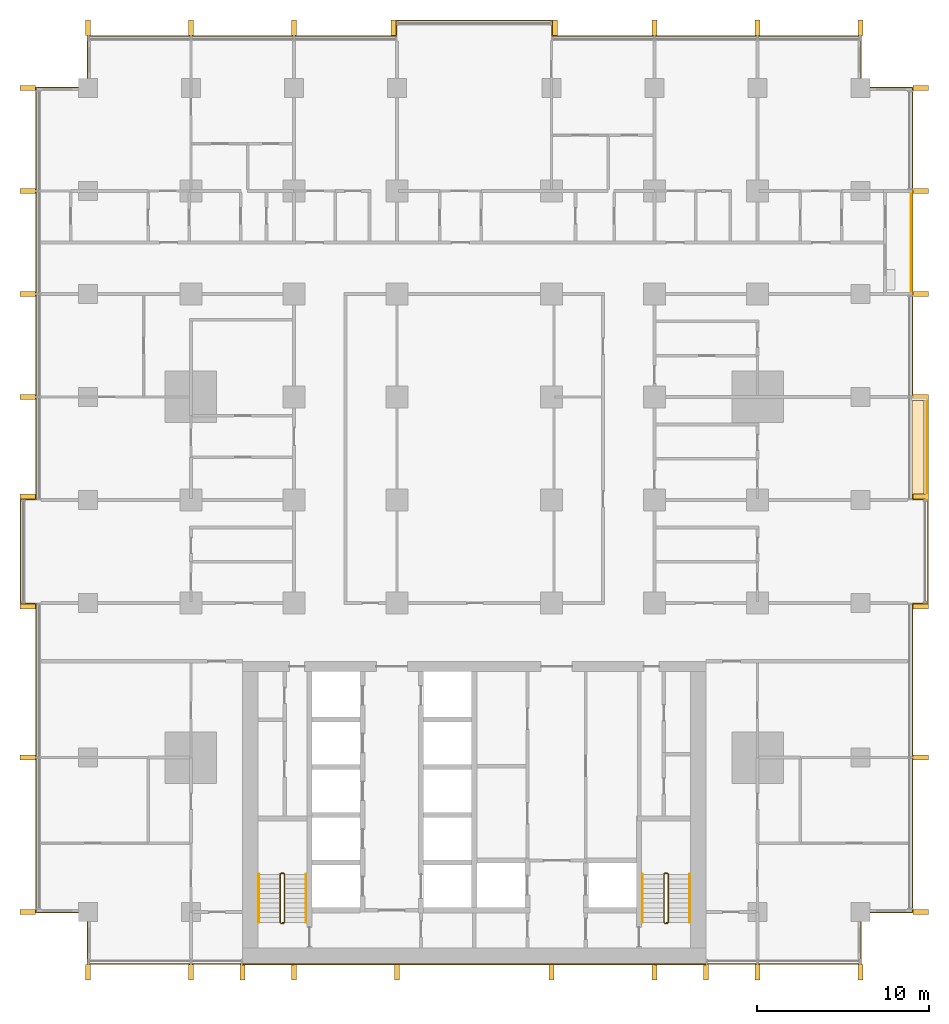
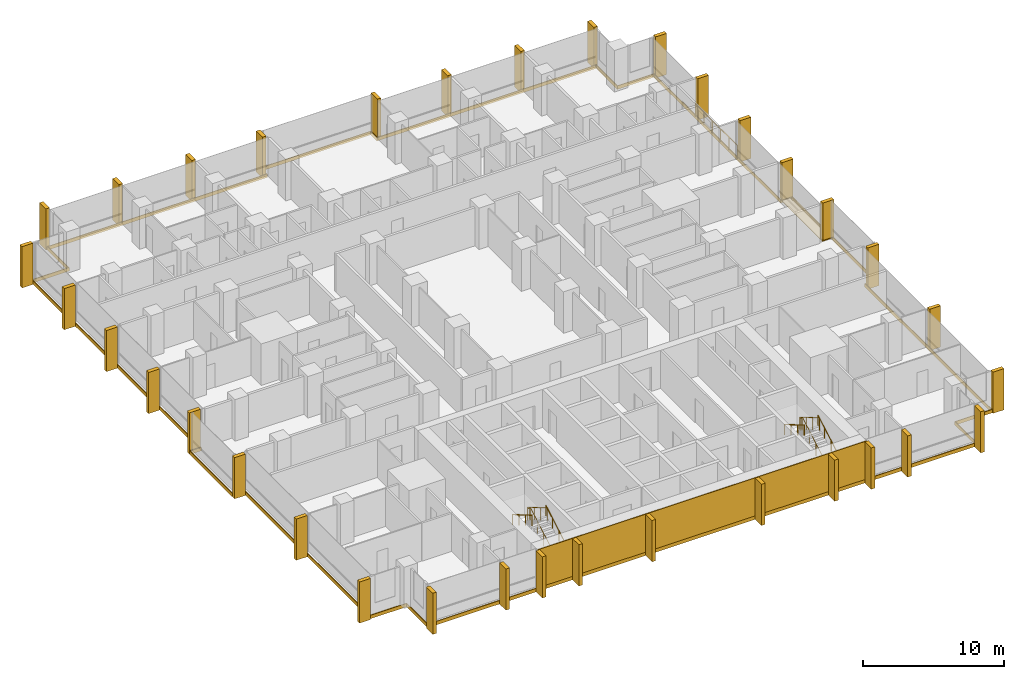
# One storey, part 18 of 18: 34 shading devices, 8 coverings, 7 railings.
"""IFC4 building model written with IfcOpenShell, lengths in metres."""

from ifc_helpers import new_model, si_unit, direction, frame, origin, origin_2d, place, context, subcontext, project, spatial, polyline, rectangle, circle, outline, extrude, material, layer, layer_set, type_object, element, save


model = new_model("IFC4")

# Units and contexts
model_context = context("Model", 3, precision=1e-05, world=origin(), true_north=direction((0.0, 1.0)))
body_context = subcontext(model_context, "Body", "Model", "MODEL_VIEW")
ifc_project = project(units=[si_unit("LENGTHUNIT", "METRE"), si_unit("AREAUNIT", "SQUARE_METRE"), si_unit("VOLUMEUNIT", "CUBIC_METRE"), si_unit("PLANEANGLEUNIT", "RADIAN"), si_unit("MASSUNIT", "GRAM", prefix="KILO")], contexts=[model_context])

# Site, building, storey
site_placement = place(None, origin())
site = spatial("IfcSite", under=ifc_project, at=site_placement, CompositionType="ELEMENT")
building_placement = place(site_placement, origin())
building = spatial("IfcBuilding", under=site, at=building_placement, Name="Finial Court Residences", CompositionType="ELEMENT")
storey_placement = place(building_placement, frame((0.0, 0.0, 54.10009765625)))
storey = spatial("IfcBuildingStorey", under=building, at=storey_placement, Name="L12", CompositionType="ELEMENT", Elevation=54.10009765625)

# Railing
ifc_material_1 = material(Name="Bronze anodised aluminium", Category="aluminium")
railing_type_1 = type_object("IfcRailingType", Name="Balcony guard 1100", PredefinedType="GUARDRAIL", material=ifc_material_1)
railing_1_placement = place(storey_placement, frame((25.449951171875, 13.5, 0.0)))
element("IfcRailing", 1, at=railing_1_placement, inside=storey, type_object=railing_type_1, Name="E-L12-BALE6-R", PredefinedType="GUARDRAIL", context=body_context, shape_type="SweptSolid", body=[
    extrude(circle(Radius=0.02392578125, at=origin_2d()), frame((0.0, 0.0, 1.076171875), z_axis=(0.0, 1.0, 0.0), x_axis=(-1.0, 0.0, 0.0)), (0.0, 0.0, 1.0), 6.0),
    extrude(circle(Radius=0.02099609375, at=origin_2d()), origin(), (0.0, 0.0, 1.0), 1.052001953125),
    extrude(circle(Radius=0.02099609375, at=origin_2d()), frame((0.0, 1.199951171875, 0.0)), (0.0, 0.0, 1.0), 1.052001953125),
    extrude(circle(Radius=0.02099609375, at=origin_2d()), frame((0.0, 2.39990234375, 0.0)), (0.0, 0.0, 1.0), 1.052001953125),
    extrude(circle(Radius=0.02099609375, at=origin_2d()), frame((0.0, 3.60009765625, 0.0)), (0.0, 0.0, 1.0), 1.052001953125),
    extrude(circle(Radius=0.02099609375, at=origin_2d()), frame((0.0, 4.800048828125, 0.0)), (0.0, 0.0, 1.0), 1.052001953125),
    extrude(circle(Radius=0.02099609375, at=origin_2d()), frame((0.0, 6.0, 0.0)), (0.0, 0.0, 1.0), 1.052001953125),
])

# Coverings
ifc_material_2 = material(Name="Natural limestone", Category="masonry")
ifc_layer_1 = layer(ifc_material_2, 0.06005859375)
ifc_layer_set_1 = layer_set([ifc_layer_1], Name="Limestone cladding to the blind core face 60")
covering_type_1 = type_object("IfcCoveringType", Name="Limestone cladding to the blind core face 60", PredefinedType="CLADDING", material=ifc_layer_set_1)
covering_1_placement = place(storey_placement, origin())
element("IfcCovering", 2, at=covering_1_placement, inside=storey, type_object=covering_type_1, Name="E-L12-CLAD1", PredefinedType="CLADDING", context=body_context, shape_type="SweptSolid", body=[
    extrude(outline(polyline([(-10.5, -25.56005859375), (-10.5, -25.5), (-13.5, -25.5), (-13.5, -25.56005859375), (-10.5, -25.56005859375)])), origin(), (0.0, 0.0, 1.0), 3.2998046875),
])
covering_2_placement = place(storey_placement, origin())
element("IfcCovering", 3, at=covering_2_placement, inside=storey, type_object=covering_type_1, Name="E-L12-CLAD2", PredefinedType="CLADDING", context=body_context, shape_type="SweptSolid", body=[
    extrude(outline(polyline([(-4.5, -25.56005859375), (-4.5, -25.5), (-10.5, -25.5), (-10.5, -25.56005859375), (-4.5, -25.56005859375)])), origin(), (0.0, 0.0, 1.0), 3.2998046875),
])
covering_3_placement = place(storey_placement, origin())
element("IfcCovering", 4, at=covering_3_placement, inside=storey, type_object=covering_type_1, Name="E-L12-CLAD3", PredefinedType="CLADDING", context=body_context, shape_type="SweptSolid", body=[
    extrude(outline(polyline([(4.5, -25.56005859375), (4.5, -25.5), (-4.5, -25.5), (-4.5, -25.56005859375), (4.5, -25.56005859375)])), origin(), (0.0, 0.0, 1.0), 3.2998046875),
])
covering_4_placement = place(storey_placement, origin())
element("IfcCovering", 5, at=covering_4_placement, inside=storey, type_object=covering_type_1, Name="E-L12-CLAD4", PredefinedType="CLADDING", context=body_context, shape_type="SweptSolid", body=[
    extrude(outline(polyline([(10.5, -25.56005859375), (10.5, -25.5), (4.5, -25.5), (4.5, -25.56005859375), (10.5, -25.56005859375)])), origin(), (0.0, 0.0, 1.0), 3.2998046875),
])
covering_5_placement = place(storey_placement, origin())
element("IfcCovering", 6, at=covering_5_placement, inside=storey, type_object=covering_type_1, Name="E-L12-CLAD5", PredefinedType="CLADDING", context=body_context, shape_type="SweptSolid", body=[
    extrude(outline(polyline([(13.5, -25.56005859375), (13.5, -25.5), (10.5, -25.5), (10.5, -25.56005859375), (13.5, -25.56005859375)])), origin(), (0.0, 0.0, 1.0), 3.2998046875),
])

# Shading devices
shading_device_type = type_object("IfcShadingDeviceType", Name="Limestone fin 300 x 900", PredefinedType="USERDEFINED", material=ifc_material_2)
for number, where, z_axis, x_axis, name in (
    (7, (-22.5, 29.010009765625, -0.300048828125), (0.0, 0.0, 1.0), (1.0, 0.0, 0.0), "E-L12-FIN-N1"),
    (8, (-16.5, 29.010009765625, -0.300048828125), (0.0, 0.0, 1.0), (1.0, 0.0, 0.0), "E-L12-FIN-N2"),
    (9, (-10.5, 29.010009765625, -0.300048828125), (0.0, 0.0, 1.0), (1.0, 0.0, 0.0), "E-L12-FIN-N3"),
    (10, (-4.7099609375, 29.010009765625, -0.300048828125), (0.0, 0.0, 1.0), (1.0, 0.0, 0.0), "E-L12-FIN-N4"),
    (11, (4.7099609375, 29.010009765625, -0.300048828125), (0.0, 0.0, 1.0), (1.0, 0.0, 0.0), "E-L12-FIN-N5"),
    (12, (10.5, 29.010009765625, -0.300048828125), (0.0, 0.0, 1.0), (1.0, 0.0, 0.0), "E-L12-FIN-N6"),
    (13, (16.5, 29.010009765625, -0.300048828125), (0.0, 0.0, 1.0), (1.0, 0.0, 0.0), "E-L12-FIN-N7"),
    (14, (22.5, 29.010009765625, -0.300048828125), (0.0, 0.0, 1.0), (1.0, 0.0, 0.0), "E-L12-FIN-N8"),
):
    element("IfcShadingDevice", number, at=place(storey_placement, frame(where, z_axis=z_axis, x_axis=x_axis)), inside=storey, type_object=shading_device_type, Name=name, ObjectType="FIN", PredefinedType="USERDEFINED", context=body_context, shape_type="SweptSolid", body=[
        extrude(rectangle(XDim=0.300048828125, YDim=0.89990234375, at=origin_2d()), origin(), (0.0, 0.0, 1.0), 3.580078125),
    ])
for number, where, z_axis, x_axis, name in (
    (15, (26.010009765625, -22.5, -0.300048828125), (0.0, 0.0, 1.0), (1.0, 0.0, 0.0), "E-L12-FIN-E9"),
    (16, (26.010009765625, -13.5, -0.300048828125), (0.0, 0.0, 1.0), (1.0, 0.0, 0.0), "E-L12-FIN-E10"),
    (17, (26.010009765625, -4.7099609375, -0.300048828125), (0.0, 0.0, 1.0), (1.0, 0.0, 0.0), "E-L12-FIN-E11"),
):
    element("IfcShadingDevice", number, at=place(storey_placement, frame(where, z_axis=z_axis, x_axis=x_axis)), inside=storey, type_object=shading_device_type, Name=name, ObjectType="FIN", PredefinedType="USERDEFINED", context=body_context, shape_type="SweptSolid", body=[
        extrude(rectangle(XDim=0.89990234375, YDim=0.300048828125, at=origin_2d()), origin(), (0.0, 0.0, 1.0), 3.580078125),
    ])
for number, where, z_axis, x_axis, name in (
    (18, (26.010009765625, 1.7099609375, 0.0400390625), (0.0, 0.0, 1.0), (1.0, 0.0, 0.0), "E-L12-FIN-E12"),
    (19, (26.010009765625, 7.5, 0.0400390625), (0.0, 0.0, 1.0), (1.0, 0.0, 0.0), "E-L12-FIN-E13"),
):
    element("IfcShadingDevice", number, at=place(storey_placement, frame(where, z_axis=z_axis, x_axis=x_axis)), inside=storey, type_object=shading_device_type, Name=name, ObjectType="FIN", PredefinedType="USERDEFINED", context=body_context, shape_type="SweptSolid", body=[
        extrude(rectangle(XDim=0.89990234375, YDim=0.300048828125, at=origin_2d()), origin(), (0.0, 0.0, 1.0), 3.239990234375),
    ])
for number, where, z_axis, x_axis, name in (
    (20, (26.010009765625, 13.5, -0.300048828125), (0.0, 0.0, 1.0), (1.0, 0.0, 0.0), "E-L12-FIN-E14"),
    (21, (26.010009765625, 19.5, -0.300048828125), (0.0, 0.0, 1.0), (1.0, 0.0, 0.0), "E-L12-FIN-E15"),
    (22, (26.010009765625, 25.5, -0.300048828125), (0.0, 0.0, 1.0), (1.0, 0.0, 0.0), "E-L12-FIN-E16"),
):
    element("IfcShadingDevice", number, at=place(storey_placement, frame(where, z_axis=z_axis, x_axis=x_axis)), inside=storey, type_object=shading_device_type, Name=name, ObjectType="FIN", PredefinedType="USERDEFINED", context=body_context, shape_type="SweptSolid", body=[
        extrude(rectangle(XDim=0.89990234375, YDim=0.300048828125, at=origin_2d()), origin(), (0.0, 0.0, 1.0), 3.580078125),
    ])
for number, where, z_axis, x_axis, name in (
    (23, (-22.5, -26.010009765625, -0.300048828125), (0.0, 0.0, 1.0), (1.0, 0.0, 0.0), "E-L12-FIN-S17"),
    (24, (-16.5, -26.010009765625, -0.300048828125), (0.0, 0.0, 1.0), (1.0, 0.0, 0.0), "E-L12-FIN-S18"),
    (25, (-13.5, -26.010009765625, -0.300048828125), (0.0, 0.0, 1.0), (1.0, 0.0, 0.0), "E-L12-FIN-S19"),
    (26, (-10.5, -26.010009765625, -0.300048828125), (0.0, 0.0, 1.0), (1.0, 0.0, 0.0), "E-L12-FIN-S20"),
    (27, (-4.5, -26.010009765625, -0.300048828125), (0.0, 0.0, 1.0), (1.0, 0.0, 0.0), "E-L12-FIN-S21"),
    (28, (4.5, -26.010009765625, -0.300048828125), (0.0, 0.0, 1.0), (1.0, 0.0, 0.0), "E-L12-FIN-S22"),
    (29, (10.5, -26.010009765625, -0.300048828125), (0.0, 0.0, 1.0), (1.0, 0.0, 0.0), "E-L12-FIN-S23"),
    (30, (13.5, -26.010009765625, -0.300048828125), (0.0, 0.0, 1.0), (1.0, 0.0, 0.0), "E-L12-FIN-S24"),
    (31, (16.5, -26.010009765625, -0.300048828125), (0.0, 0.0, 1.0), (1.0, 0.0, 0.0), "E-L12-FIN-S25"),
    (32, (22.5, -26.010009765625, -0.300048828125), (0.0, 0.0, 1.0), (1.0, 0.0, 0.0), "E-L12-FIN-S26"),
):
    element("IfcShadingDevice", number, at=place(storey_placement, frame(where, z_axis=z_axis, x_axis=x_axis)), inside=storey, type_object=shading_device_type, Name=name, ObjectType="FIN", PredefinedType="USERDEFINED", context=body_context, shape_type="SweptSolid", body=[
        extrude(rectangle(XDim=0.300048828125, YDim=0.89990234375, at=origin_2d()), origin(), (0.0, 0.0, 1.0), 3.580078125),
    ])
for number, where, z_axis, x_axis, name in (
    (33, (-26.010009765625, -22.5, -0.300048828125), (0.0, 0.0, 1.0), (1.0, 0.0, 0.0), "E-L12-FIN-W27"),
    (34, (-26.010009765625, -13.5, -0.300048828125), (0.0, 0.0, 1.0), (1.0, 0.0, 0.0), "E-L12-FIN-W28"),
    (35, (-26.010009765625, -4.7099609375, -0.300048828125), (0.0, 0.0, 1.0), (1.0, 0.0, 0.0), "E-L12-FIN-W29"),
    (36, (-26.010009765625, 1.7099609375, -0.300048828125), (0.0, 0.0, 1.0), (1.0, 0.0, 0.0), "E-L12-FIN-W30"),
    (37, (-26.010009765625, 7.5, -0.300048828125), (0.0, 0.0, 1.0), (1.0, 0.0, 0.0), "E-L12-FIN-W31"),
    (38, (-26.010009765625, 13.5, -0.300048828125), (0.0, 0.0, 1.0), (1.0, 0.0, 0.0), "E-L12-FIN-W32"),
    (39, (-26.010009765625, 19.5, -0.300048828125), (0.0, 0.0, 1.0), (1.0, 0.0, 0.0), "E-L12-FIN-W33"),
    (40, (-26.010009765625, 25.5, -0.300048828125), (0.0, 0.0, 1.0), (1.0, 0.0, 0.0), "E-L12-FIN-W34"),
):
    element("IfcShadingDevice", number, at=place(storey_placement, frame(where, z_axis=z_axis, x_axis=x_axis)), inside=storey, type_object=shading_device_type, Name=name, ObjectType="FIN", PredefinedType="USERDEFINED", context=body_context, shape_type="SweptSolid", body=[
        extrude(rectangle(XDim=0.89990234375, YDim=0.300048828125, at=origin_2d()), origin(), (0.0, 0.0, 1.0), 3.580078125),
    ])

# Coverings
ifc_material_3 = material(Name="Pale limestone", Category="masonry")
ifc_layer_2 = layer(ifc_material_3, 0.06005859375)
ifc_layer_set_2 = layer_set([ifc_layer_2], Name="Pale limestone slab-edge band 60")
covering_type_2 = type_object("IfcCoveringType", Name="Pale limestone slab-edge band 60", PredefinedType="CLADDING", material=ifc_layer_set_2)
covering_6_placement = place(storey_placement, frame((0.0, 0.0, -0.300048828125)))
element("IfcCovering", 41, at=covering_6_placement, inside=storey, type_object=covering_type_2, Name="E-L12-BAND1", PredefinedType="CLADDING", context=body_context, shape_type="SweptSolid", body=[
    extrude(outline(polyline([(-22.56005859375, 25.56005859375), (-22.56005859375, 28.56005859375), (-4.56005859375, 28.56005859375), (-4.56005859375, 29.4599609375), (4.56005859375, 29.4599609375), (4.56005859375, 28.56005859375), (22.56005859375, 28.56005859375), (22.56005859375, 25.56005859375), (25.56005859375, 25.56005859375), (25.56005859375, 7.56005859375), (26.4599609375, 7.56005859375), (26.4599609375, -4.56005859375), (25.56005859375, -4.56005859375), (25.56005859375, -22.56005859375), (22.56005859375, -22.56005859375), (22.56005859375, -25.56005859375), (-22.56005859375, -25.56005859375), (-22.56005859375, -22.56005859375), (-25.56005859375, -22.56005859375), (-25.56005859375, -4.56005859375), (-26.4599609375, -4.56005859375), (-26.4599609375, 1.56005859375), (-25.56005859375, 1.56005859375), (-25.56005859375, 25.56005859375), (-22.56005859375, 25.56005859375)]), holes=[polyline([(-25.5, 1.5), (-26.39990234375, 1.5), (-26.39990234375, -4.5), (-25.5, -4.5), (-25.5, -22.5), (-22.5, -22.5), (-22.5, -25.5), (22.5, -25.5), (22.5, -22.5), (25.5, -22.5), (25.5, -4.5), (26.39990234375, -4.5), (26.39990234375, 1.5), (26.39990234375, 7.5), (25.5, 7.5), (25.5, 13.5), (25.5, 19.5), (25.5, 25.5), (22.5, 25.5), (22.5, 28.5), (4.5, 28.5), (4.5, 29.39990234375), (-4.5, 29.39990234375), (-4.5, 28.5), (-22.5, 28.5), (-22.5, 25.5), (-25.5, 25.5), (-25.5, 1.5)])]), origin(), (0.0, 0.0, 1.0), 0.300048828125),
])
ifc_material_4 = material(Name="Bitumen membrane")
ifc_layer_3 = layer(ifc_material_4, 0.0400390625)
ifc_layer_set_3 = layer_set([ifc_layer_3], Name="Push box roofing, bitumen membrane 40")
covering_type_3 = type_object("IfcCoveringType", Name="Push box roofing, bitumen membrane 40", PredefinedType="ROOFING", material=ifc_layer_set_3)
covering_7_placement = place(storey_placement, origin())
element("IfcCovering", 42, at=covering_7_placement, inside=storey, type_object=covering_type_3, Name="E-L12-LED1", PredefinedType="ROOFING", context=body_context, shape_type="SweptSolid", body=[
    extrude(outline(polyline([(25.5, 7.300048828125), (26.199951171875, 7.300048828125), (26.199951171875, 1.5), (25.5, 1.5), (25.5, 7.300048828125)])), origin(), (0.0, 0.0, 1.0), 0.039794921875),
])
covering_8_placement = place(storey_placement, origin())
element("IfcCovering", 43, at=covering_8_placement, inside=storey, type_object=covering_type_3, Name="E-L12-LED1b", PredefinedType="ROOFING", context=body_context, shape_type="SweptSolid", body=[
    extrude(outline(polyline([(25.5, 7.5), (26.39990234375, 7.5), (26.39990234375, 1.5), (26.35009765625, 1.5), (26.35009765625, 7.300048828125), (26.35009765625, 7.300048828125), (26.35009765625, 7.449951171875), (25.5, 7.449951171875), (25.5, 7.5)])), origin(), (0.0, 0.0, 1.0), 0.039794921875),
])

# Railings
ifc_material_5 = material(Name="Stainless steel railing", Category="steel")
railing_type_2 = type_object("IfcRailingType", Name="Stair guard 1100", PredefinedType="GUARDRAIL", material=ifc_material_5)
railing_2_placement = place(storey_placement, frame((-11.10009765625, -23.14990234375, 0.0)))
element("IfcRailing", 44, at=railing_2_placement, inside=storey, type_object=railing_type_2, Name="L12 ST-1 stair guard 1", PredefinedType="GUARDRAIL", context=body_context, shape_type="SweptSolid", body=[
    extrude(circle(Radius=0.02392578125, at=origin_2d()), frame((0.0, 0.0, 1.076171875), z_axis=(-1.0, 0.0, 0.0), x_axis=(0.0, -1.0, 0.0)), (0.0, 0.0, 1.0), 0.14990234375),
    extrude(circle(Radius=0.02392578125, at=origin_2d()), frame((-0.14990234375, 0.0, 1.076171875), z_axis=(0.760004195007, 0.189305074214, 0.621737253547), x_axis=(-0.241699205484, 0.970351222016, 0.0)), (0.0, 0.0, 1.0), 0.26318359375),
    extrude(circle(Radius=0.02392578125, at=origin_2d()), frame((0.050048828125, 0.0498046875, 1.23974609375), z_axis=(0.0, 0.863393664356, 0.504530851732), x_axis=(-1.0, 0.0, 0.0)), (0.0, 0.0, 1.0), 3.2431640625),
    extrude(circle(Radius=0.02392578125, at=origin_2d()), frame((0.050048828125, 2.849853515625, 2.8759765625), z_axis=(-0.707106781187, 0.707106781187, 0.0), x_axis=(-0.707106781187, -0.707106781187, 0.0)), (0.0, 0.0, 1.0), 0.07080078125),
    extrude(circle(Radius=0.02392578125, at=origin_2d()), frame((0.0, 2.89990234375, 2.8759765625), z_axis=(-1.0, 0.0, 0.0), x_axis=(0.0, -1.0, 0.0)), (0.0, 0.0, 1.0), 0.14990234375),
    extrude(circle(Radius=0.02392578125, at=origin_2d()), frame((-0.14990234375, 2.89990234375, 2.8759765625), z_axis=(-0.280456126637, -0.280456126637, 0.917980785237), x_axis=(0.707106781187, -0.707106781187, 0.0)), (0.0, 0.0, 1.0), 0.178466796875),
    extrude(circle(Radius=0.02392578125, at=origin_2d()), frame((-0.199951171875, 2.849853515625, 3.03955078125), z_axis=(0.0, -0.863393664356, 0.504530851732), x_axis=(1.0, 0.0, 0.0)), (0.0, 0.0, 1.0), 3.2431640625),
    extrude(circle(Radius=0.02099609375, at=origin_2d()), origin(), (0.0, 0.0, 1.0), 1.052001953125),
    extrude(circle(Radius=0.02099609375, at=origin_2d()), frame((-0.14990234375, 0.0, 0.0)), (0.0, 0.0, 1.0), 1.052001953125),
    extrude(circle(Radius=0.02099609375, at=origin_2d()), frame((0.050048828125, 0.0498046875, 0.16357421875)), (0.0, 0.0, 1.0), 1.052001953125),
    extrude(circle(Radius=0.02099609375, at=origin_2d()), frame((0.050048828125, 0.983154296875, 0.708984375)), (0.0, 0.0, 1.0), 1.052001953125),
    extrude(circle(Radius=0.02099609375, at=origin_2d()), frame((0.050048828125, 1.91650390625, 1.25439453125)), (0.0, 0.0, 1.0), 1.052001953125),
    extrude(circle(Radius=0.02099609375, at=origin_2d()), frame((0.050048828125, 2.849853515625, 1.7998046875)), (0.0, 0.0, 1.0), 1.052001953125),
    extrude(circle(Radius=0.02099609375, at=origin_2d()), frame((0.0, 2.89990234375, 1.7998046875)), (0.0, 0.0, 1.0), 1.052001953125),
    extrude(circle(Radius=0.02099609375, at=origin_2d()), frame((-0.14990234375, 2.89990234375, 1.7998046875)), (0.0, 0.0, 1.0), 1.052001953125),
    extrude(circle(Radius=0.02099609375, at=origin_2d()), frame((-0.199951171875, 2.849853515625, 1.963623046875)), (0.0, 0.0, 1.0), 1.052001953125),
    extrude(circle(Radius=0.02099609375, at=origin_2d()), frame((-0.199951171875, 1.91650390625, 2.509033203125)), (0.0, 0.0, 1.0), 1.052001953125),
    extrude(circle(Radius=0.02099609375, at=origin_2d()), frame((-0.199951171875, 0.983154296875, 3.054443359375)), (0.0, 0.0, 1.0), 1.052001953125),
    extrude(circle(Radius=0.02099609375, at=origin_2d()), frame((-0.199951171875, 0.0498046875, 3.599853515625)), (0.0, 0.0, 1.0), 1.052001953125),
])
railing_3_placement = place(storey_placement, frame((11.25, -23.14990234375, 0.0)))
element("IfcRailing", 45, at=railing_3_placement, inside=storey, type_object=railing_type_2, Name="L12 ST-2 stair guard 1", PredefinedType="GUARDRAIL", context=body_context, shape_type="SweptSolid", body=[
    extrude(circle(Radius=0.02392578125, at=origin_2d()), frame((0.0, 0.0, 1.076171875), z_axis=(-1.0, 0.0, 0.0), x_axis=(0.0, -1.0, 0.0)), (0.0, 0.0, 1.0), 0.14990234375),
    extrude(circle(Radius=0.02392578125, at=origin_2d()), frame((-0.14990234375, 0.0, 1.076171875), z_axis=(0.760004195007, 0.189305074214, 0.621737253547), x_axis=(-0.241699205484, 0.970351222016, 0.0)), (0.0, 0.0, 1.0), 0.26318359375),
    extrude(circle(Radius=0.02392578125, at=origin_2d()), frame((0.050048828125, 0.0498046875, 1.23974609375), z_axis=(0.0, 0.863393664356, 0.504530851732), x_axis=(-1.0, 0.0, 0.0)), (0.0, 0.0, 1.0), 3.2431640625),
    extrude(circle(Radius=0.02392578125, at=origin_2d()), frame((0.050048828125, 2.849853515625, 2.8759765625), z_axis=(-0.707106781187, 0.707106781187, 0.0), x_axis=(-0.707106781187, -0.707106781187, 0.0)), (0.0, 0.0, 1.0), 0.07080078125),
    extrude(circle(Radius=0.02392578125, at=origin_2d()), frame((0.0, 2.89990234375, 2.8759765625), z_axis=(-1.0, 0.0, 0.0), x_axis=(0.0, -1.0, 0.0)), (0.0, 0.0, 1.0), 0.14990234375),
    extrude(circle(Radius=0.02392578125, at=origin_2d()), frame((-0.14990234375, 2.89990234375, 2.8759765625), z_axis=(-0.280456126637, -0.280456126637, 0.917980785237), x_axis=(0.707106781187, -0.707106781187, 0.0)), (0.0, 0.0, 1.0), 0.178466796875),
    extrude(circle(Radius=0.02392578125, at=origin_2d()), frame((-0.199951171875, 2.849853515625, 3.03955078125), z_axis=(0.0, -0.863393664356, 0.504530851732), x_axis=(1.0, 0.0, 0.0)), (0.0, 0.0, 1.0), 3.2431640625),
    extrude(circle(Radius=0.02099609375, at=origin_2d()), origin(), (0.0, 0.0, 1.0), 1.052001953125),
    extrude(circle(Radius=0.02099609375, at=origin_2d()), frame((-0.14990234375, 0.0, 0.0)), (0.0, 0.0, 1.0), 1.052001953125),
    extrude(circle(Radius=0.02099609375, at=origin_2d()), frame((0.050048828125, 0.0498046875, 0.16357421875)), (0.0, 0.0, 1.0), 1.052001953125),
    extrude(circle(Radius=0.02099609375, at=origin_2d()), frame((0.050048828125, 0.983154296875, 0.708984375)), (0.0, 0.0, 1.0), 1.052001953125),
    extrude(circle(Radius=0.02099609375, at=origin_2d()), frame((0.050048828125, 1.91650390625, 1.25439453125)), (0.0, 0.0, 1.0), 1.052001953125),
    extrude(circle(Radius=0.02099609375, at=origin_2d()), frame((0.050048828125, 2.849853515625, 1.7998046875)), (0.0, 0.0, 1.0), 1.052001953125),
    extrude(circle(Radius=0.02099609375, at=origin_2d()), frame((0.0, 2.89990234375, 1.7998046875)), (0.0, 0.0, 1.0), 1.052001953125),
    extrude(circle(Radius=0.02099609375, at=origin_2d()), frame((-0.14990234375, 2.89990234375, 1.7998046875)), (0.0, 0.0, 1.0), 1.052001953125),
    extrude(circle(Radius=0.02099609375, at=origin_2d()), frame((-0.199951171875, 2.849853515625, 1.963623046875)), (0.0, 0.0, 1.0), 1.052001953125),
    extrude(circle(Radius=0.02099609375, at=origin_2d()), frame((-0.199951171875, 1.91650390625, 2.509033203125)), (0.0, 0.0, 1.0), 1.052001953125),
    extrude(circle(Radius=0.02099609375, at=origin_2d()), frame((-0.199951171875, 0.983154296875, 3.054443359375)), (0.0, 0.0, 1.0), 1.052001953125),
    extrude(circle(Radius=0.02099609375, at=origin_2d()), frame((-0.199951171875, 0.0498046875, 3.599853515625)), (0.0, 0.0, 1.0), 1.052001953125),
])
railing_type_3 = type_object("IfcRailingType", Name="Stair handrail 900", PredefinedType="HANDRAIL", material=ifc_material_5)
railing_4_placement = place(storey_placement, frame((-9.800048828125, -23.10009765625, 0.16357421875)))
element("IfcRailing", 46, at=railing_4_placement, inside=storey, type_object=railing_type_3, Name="L12 ST-1 stair handrail 1", PredefinedType="HANDRAIL", context=body_context, shape_type="SweptSolid", body=[
    extrude(circle(Radius=0.02392578125, at=origin_2d()), frame((0.0, 0.0, 0.8759765625), z_axis=(0.0, 0.863393664356, 0.504530851732), x_axis=(-1.0, 0.0, 0.0)), (0.0, 0.0, 1.0), 3.2431640625),
    extrude(circle(Radius=0.02099609375, at=origin_2d()), origin(), (0.0, 0.0, 1.0), 0.851806640625),
    extrude(circle(Radius=0.02099609375, at=origin_2d()), frame((0.0, 0.933349609375, 0.54541015625)), (0.0, 0.0, 1.0), 0.851806640625),
    extrude(circle(Radius=0.02099609375, at=origin_2d()), frame((0.0, 1.86669921875, 1.0908203125)), (0.0, 0.0, 1.0), 0.851806640625),
    extrude(circle(Radius=0.02099609375, at=origin_2d()), frame((0.0, 2.800048828125, 1.63623046875)), (0.0, 0.0, 1.0), 0.851806640625),
])
railing_5_placement = place(storey_placement, frame((-12.550048828125, -20.300048828125, 1.963623046875)))
element("IfcRailing", 47, at=railing_5_placement, inside=storey, type_object=railing_type_3, Name="L12 ST-1 stair handrail 2", PredefinedType="HANDRAIL", context=body_context, shape_type="SweptSolid", body=[
    extrude(circle(Radius=0.02392578125, at=origin_2d()), frame((0.0, 0.0, 0.8759765625), z_axis=(0.0, -0.863393664356, 0.504530851732), x_axis=(1.0, 0.0, 0.0)), (0.0, 0.0, 1.0), 3.2431640625),
    extrude(circle(Radius=0.02099609375, at=origin_2d()), origin(), (0.0, 0.0, 1.0), 0.851806640625),
    extrude(circle(Radius=0.02099609375, at=origin_2d()), frame((0.0, -0.933349609375, 0.54541015625)), (0.0, 0.0, 1.0), 0.851806640625),
    extrude(circle(Radius=0.02099609375, at=origin_2d()), frame((0.0, -1.86669921875, 1.0908203125)), (0.0, 0.0, 1.0), 0.851806640625),
    extrude(circle(Radius=0.02099609375, at=origin_2d()), frame((0.0, -2.800048828125, 1.63623046875)), (0.0, 0.0, 1.0), 0.851806640625),
])
railing_6_placement = place(storey_placement, frame((12.550048828125, -23.10009765625, 0.16357421875)))
element("IfcRailing", 48, at=railing_6_placement, inside=storey, type_object=railing_type_3, Name="L12 ST-2 stair handrail 1", PredefinedType="HANDRAIL", context=body_context, shape_type="SweptSolid", body=[
    extrude(circle(Radius=0.02392578125, at=origin_2d()), frame((0.0, 0.0, 0.8759765625), z_axis=(0.0, 0.863393664356, 0.504530851732), x_axis=(-1.0, 0.0, 0.0)), (0.0, 0.0, 1.0), 3.2431640625),
    extrude(circle(Radius=0.02099609375, at=origin_2d()), origin(), (0.0, 0.0, 1.0), 0.851806640625),
    extrude(circle(Radius=0.02099609375, at=origin_2d()), frame((0.0, 0.933349609375, 0.54541015625)), (0.0, 0.0, 1.0), 0.851806640625),
    extrude(circle(Radius=0.02099609375, at=origin_2d()), frame((0.0, 1.86669921875, 1.0908203125)), (0.0, 0.0, 1.0), 0.851806640625),
    extrude(circle(Radius=0.02099609375, at=origin_2d()), frame((0.0, 2.800048828125, 1.63623046875)), (0.0, 0.0, 1.0), 0.851806640625),
])
railing_7_placement = place(storey_placement, frame((9.800048828125, -20.300048828125, 1.963623046875)))
element("IfcRailing", 49, at=railing_7_placement, inside=storey, type_object=railing_type_3, Name="L12 ST-2 stair handrail 2", PredefinedType="HANDRAIL", context=body_context, shape_type="SweptSolid", body=[
    extrude(circle(Radius=0.02392578125, at=origin_2d()), frame((0.0, 0.0, 0.8759765625), z_axis=(0.0, -0.863393664356, 0.504530851732), x_axis=(1.0, 0.0, 0.0)), (0.0, 0.0, 1.0), 3.2431640625),
    extrude(circle(Radius=0.02099609375, at=origin_2d()), origin(), (0.0, 0.0, 1.0), 0.851806640625),
    extrude(circle(Radius=0.02099609375, at=origin_2d()), frame((0.0, -0.933349609375, 0.54541015625)), (0.0, 0.0, 1.0), 0.851806640625),
    extrude(circle(Radius=0.02099609375, at=origin_2d()), frame((0.0, -1.86669921875, 1.0908203125)), (0.0, 0.0, 1.0), 0.851806640625),
    extrude(circle(Radius=0.02099609375, at=origin_2d()), frame((0.0, -2.800048828125, 1.63623046875)), (0.0, 0.0, 1.0), 0.851806640625),
])

save(model, "model.ifc")
